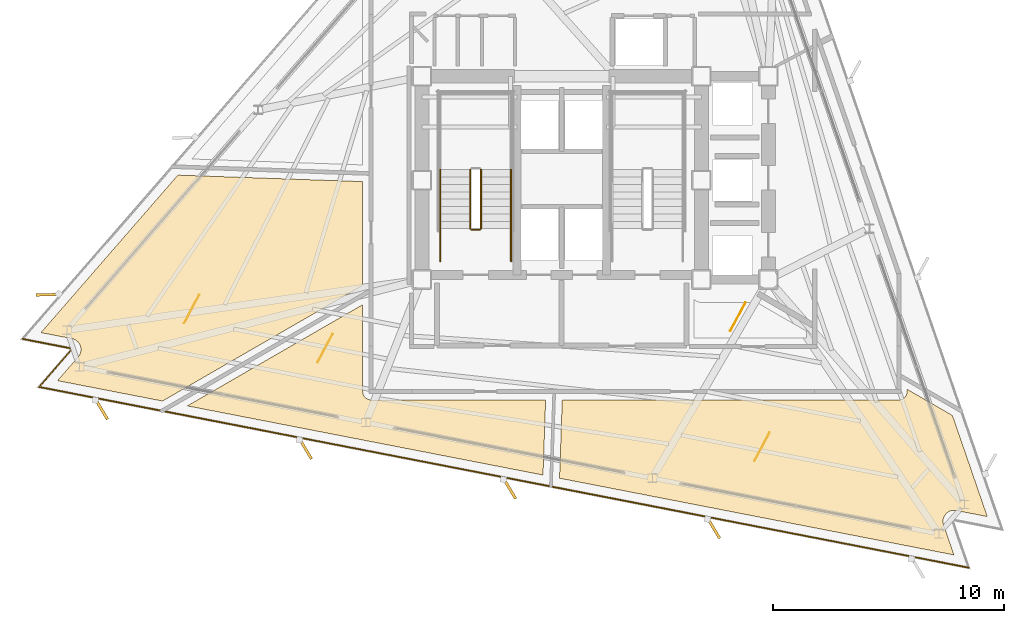
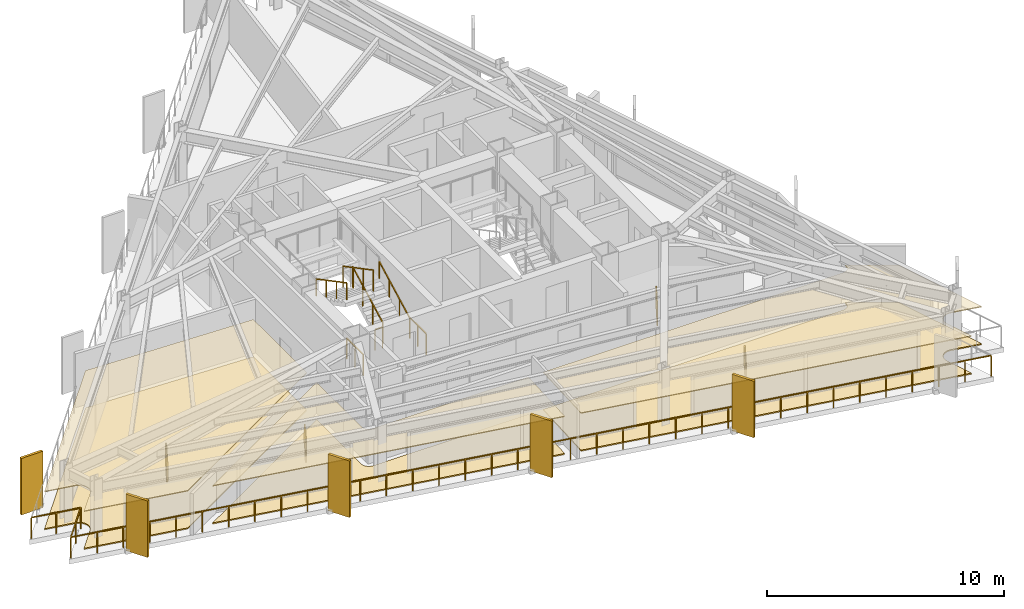
# One storey, part 11 of 13: 10 coverings, 8 railings, 5 shading devices.
"""IFC4 building model written with IfcOpenShell, lengths in metres."""

from ifc_helpers import new_model, si_unit, direction, frame, origin, origin_2d, place, context, subcontext, project, spatial, polyline, rectangle, outline, extrude, material, layer, layer_set, type_object, element, save


model = new_model("IFC4")

# Units and contexts
model_context = context("Model", 3, precision=1e-05, world=origin(), true_north=direction((0.0, 1.0)))
body_context = subcontext(model_context, "Body", "Model", "MODEL_VIEW")
ifc_project = project(units=[si_unit("LENGTHUNIT", "METRE"), si_unit("AREAUNIT", "SQUARE_METRE"), si_unit("VOLUMEUNIT", "CUBIC_METRE"), si_unit("PLANEANGLEUNIT", "RADIAN"), si_unit("MASSUNIT", "GRAM", prefix="KILO")], contexts=[model_context])

# Site, building, storey
site_placement = place(None, origin())
site = spatial("IfcSite", under=ifc_project, at=site_placement, CompositionType="ELEMENT")
building_placement = place(site_placement, origin())
building = spatial("IfcBuilding", under=site, at=building_placement, Name="Rocaltana Carrier Exchange", CompositionType="ELEMENT")
storey_placement = place(building_placement, frame((0.0, 0.0, 162.39990234375)))
storey = spatial("IfcBuildingStorey", under=building, at=storey_placement, Name="L51", CompositionType="ELEMENT", Elevation=162.39990234375)

# Coverings
ifc_material_1 = material(Name="Calcium Sulphate & Aluminium Pedestal", Category="aluminium")
ifc_layer_1 = layer(ifc_material_1, 0.06005859375)
ifc_layer_set_1 = layer_set([ifc_layer_1], Name="Calcium Sulphate & Aluminium Pedestal")
covering_type_1 = type_object("IfcCoveringType", Name="Anti-Static Raised Exchange Access Floor 60", PredefinedType="FLOORING", material=ifc_layer_set_1)
covering_1_placement = place(storey_placement, origin())
element("IfcCovering", 1, at=covering_1_placement, inside=storey, type_object=covering_type_1, Name="L51 Quiet Focus Lounge Finish Floor", PredefinedType="FLOORING", context=body_context, shape_type="SweptSolid", body=[
    extrude(outline(polyline([(-20.927490234375, -7.6455078125), (-20.918701171875, -7.635009765625), (-20.906494140625, -7.619140625), (-20.890380859375, -7.596435546875), (-20.879638671875, -7.57958984375), (-20.86572265625, -7.555419921875), (-20.85693359375, -7.53759765625), (-20.845703125, -7.511962890625), (-20.83837890625, -7.493408203125), (-20.829833984375, -7.466796875), (-20.824462890625, -7.447509765625), (-20.818603515625, -7.42041015625), (-20.815185546875, -7.400634765625), (-20.81201171875, -7.372802734375), (-20.810546875, -7.35302734375), (-20.81005859375, -7.3251953125), (-20.810791015625, -7.30517578125), (-20.81298828125, -7.27734375), (-20.815673828125, -7.257568359375), (-20.82080078125, -7.230224609375), (-20.8251953125, -7.210693359375), (-20.8330078125, -7.183837890625), (-20.839599609375, -7.1650390625), (-20.849853515625, -7.13916015625), (-20.8583984375, -7.12109375), (-20.87109375, -7.09619140625), (-20.88134765625, -7.0791015625), (-20.896484375, -7.055908203125), (-20.908447265625, -7.039794921875), (-20.92578125, -7.01806640625), (-20.939208984375, -7.003173828125), (-20.958984375, -6.9833984375), (-20.9736328125, -6.969970703125), (-20.9951171875, -6.9521484375), (-21.010986328125, -6.940185546875), (-21.0341796875, -6.924560546875), (-21.051513671875, -6.914306640625), (-21.075927734375, -6.901123046875), (-21.093994140625, -6.892578125), (-21.119873046875, -6.882080078125), (-21.138671875, -6.875244140625), (-21.165283203125, -6.8671875), (-21.184814453125, -6.862548828125), (-21.1982421875, -6.859619140625), (-22.541748046875, -6.598388671875), (-16.61474609375, 0.219970703125), (-8.610107421875, -0.0595703125), (-8.610107421875, -4.555419921875), (-17.281494140625, -9.561767578125), (-21.82568359375, -8.6787109375), (-20.927490234375, -7.6455078125)])), origin(), (0.0, 0.0, 1.0), 0.06005859375),
])
covering_2_placement = place(storey_placement, origin())
element("IfcCovering", 2, at=covering_2_placement, inside=storey, type_object=covering_type_1, Name="L51 Quiet Focus Lounge Finish Floor", PredefinedType="FLOORING", context=body_context, shape_type="SweptSolid", body=[
    extrude(outline(polyline([(-16.204345703125, -9.771240234375), (-8.610107421875, -5.38671875), (-8.610107421875, -9.14990234375), (-8.609619140625, -9.163818359375), (-8.609375, -9.171630859375), (-8.606689453125, -9.198974609375), (-8.60546875, -9.206787109375), (-8.60009765625, -9.233642578125), (-8.59814453125, -9.2412109375), (-8.590087890625, -9.267578125), (-8.58740234375, -9.27490234375), (-8.576904296875, -9.30029296875), (-8.57373046875, -9.307373046875), (-8.560791015625, -9.331787109375), (-8.556640625, -9.33837890625), (-8.54150390625, -9.361083984375), (-8.53662109375, -9.367431640625), (-8.519287109375, -9.388916015625), (-8.513916015625, -9.39453125), (-8.49462890625, -9.4140625), (-8.48876953125, -9.419189453125), (-8.467529296875, -9.436767578125), (-8.461181640625, -9.44140625), (-8.4384765625, -9.456787109375), (-8.431640625, -9.460693359375), (-8.407470703125, -9.4736328125), (-8.400390625, -9.47705078125), (-8.375, -9.487548828125), (-8.36767578125, -9.490234375), (-8.34130859375, -9.498291015625), (-8.33349609375, -9.5), (-8.306640625, -9.50537109375), (-8.298828125, -9.506591796875), (-8.271484375, -9.50927734375), (-8.263671875, -9.509765625), (-8.25, -9.510009765625), (-0.6923828125, -9.510009765625), (-0.805908203125, -12.764404296875), (-16.204345703125, -9.771240234375)])), origin(), (0.0, 0.0, 1.0), 0.06005859375),
])
covering_3_placement = place(storey_placement, origin())
element("IfcCovering", 3, at=covering_3_placement, inside=storey, type_object=covering_type_1, Name="L51 Cloud Architecture Office Finish Floor", PredefinedType="FLOORING", context=body_context, shape_type="SweptSolid", body=[
    extrude(outline(polyline([(18.4287109375, -14.562255859375), (17.085205078125, -14.301025390625), (17.0712890625, -14.298828125), (17.051513671875, -14.2958984375), (17.023681640625, -14.29345703125), (17.00390625, -14.29248046875), (16.975830078125, -14.292724609375), (16.9560546875, -14.2939453125), (16.92822265625, -14.296875), (16.90869140625, -14.300048828125), (16.88134765625, -14.305908203125), (16.862060546875, -14.310791015625), (16.83544921875, -14.319091796875), (16.816650390625, -14.326171875), (16.791015625, -14.337158203125), (16.773193359375, -14.345947265625), (16.748779296875, -14.359619140625), (16.731689453125, -14.3701171875), (16.708984375, -14.385986328125), (16.693115234375, -14.398193359375), (16.671875, -14.416259765625), (16.6572265625, -14.429931640625), (16.637939453125, -14.449951171875), (16.625, -14.465087890625), (16.607666015625, -14.487060546875), (16.59619140625, -14.50341796875), (16.581298828125, -14.52685546875), (16.5712890625, -14.544189453125), (16.558837890625, -14.569091796875), (16.55078125, -14.58740234375), (16.540771484375, -14.613525390625), (16.534423828125, -14.63232421875), (16.527099609375, -14.6591796875), (16.522705078125, -14.6787109375), (16.518310546875, -14.706298828125), (16.515869140625, -14.72607421875), (16.513916015625, -14.75390625), (16.513671875, -14.77392578125), (16.5146484375, -14.8017578125), (16.51611328125, -14.82177734375), (16.52001953125, -14.849365234375), (16.5234375, -14.868896484375), (16.52978515625, -14.89599609375), (16.535400390625, -14.915283203125), (16.539794921875, -14.9287109375), (16.9853515625, -16.22265625), (-0.09033203125, -12.9033203125), (0.028076171875, -9.510009765625), (14.60009765625, -9.510009765625), (14.61376953125, -9.509765625), (14.62158203125, -9.50927734375), (14.64892578125, -9.506591796875), (14.65673828125, -9.50537109375), (14.68359375, -9.5), (14.69140625, -9.498291015625), (14.717529296875, -9.490234375), (14.724853515625, -9.487548828125), (14.750244140625, -9.47705078125), (14.75732421875, -9.4736328125), (14.78173828125, -9.460693359375), (14.788330078125, -9.456787109375), (14.811279296875, -9.44140625), (14.8173828125, -9.436767578125), (14.8388671875, -9.419189453125), (14.844482421875, -9.4140625), (14.864013671875, -9.39453125), (14.869384765625, -9.388916015625), (14.88671875, -9.367431640625), (14.891357421875, -9.361083984375), (14.90673828125, -9.33837890625), (14.91064453125, -9.331787109375), (14.923583984375, -9.307373046875), (14.927001953125, -9.30029296875), (14.9375, -9.27490234375), (14.940185546875, -9.267578125), (14.9482421875, -9.2412109375), (14.9501953125, -9.233642578125), (14.955322265625, -9.206787109375), (14.95654296875, -9.198974609375), (14.959228515625, -9.171630859375), (14.959716796875, -9.163818359375), (14.9599609375, -9.14990234375), (14.9599609375, -9.052978515625), (16.92138671875, -10.185302734375), (18.4287109375, -14.562255859375)])), origin(), (0.0, 0.0, 1.0), 0.06005859375),
])
ifc_material_2 = material(Name="Mineral Fibre & Powder-Coated Aluminium", Category="aluminium")
ifc_layer_2 = layer(ifc_material_2, 0.044921875)
ifc_layer_set_2 = layer_set([ifc_layer_2], Name="Mineral Fibre & Powder-Coated Aluminium")
covering_type_2 = type_object("IfcCoveringType", Name="Micro-Perforated Acoustic Ceiling 45", PredefinedType="CEILING", material=ifc_layer_set_2)
covering_4_placement = place(storey_placement, frame((0.0, 0.0, 1.93310546875)))
element("IfcCovering", 4, at=covering_4_placement, inside=storey, type_object=covering_type_2, Name="L51 Quiet Focus Lounge Acoustic Ceiling", PredefinedType="CEILING", context=body_context, shape_type="SweptSolid", body=[
    extrude(outline(polyline([(-20.927490234375, -7.6455078125), (-20.918701171875, -7.635009765625), (-20.906494140625, -7.619140625), (-20.890380859375, -7.596435546875), (-20.879638671875, -7.57958984375), (-20.86572265625, -7.555419921875), (-20.85693359375, -7.53759765625), (-20.845703125, -7.511962890625), (-20.83837890625, -7.493408203125), (-20.829833984375, -7.466796875), (-20.824462890625, -7.447509765625), (-20.818603515625, -7.42041015625), (-20.815185546875, -7.400634765625), (-20.81201171875, -7.372802734375), (-20.810546875, -7.35302734375), (-20.81005859375, -7.3251953125), (-20.810791015625, -7.30517578125), (-20.81298828125, -7.27734375), (-20.815673828125, -7.257568359375), (-20.82080078125, -7.230224609375), (-20.8251953125, -7.210693359375), (-20.8330078125, -7.183837890625), (-20.839599609375, -7.1650390625), (-20.849853515625, -7.13916015625), (-20.8583984375, -7.12109375), (-20.87109375, -7.09619140625), (-20.88134765625, -7.0791015625), (-20.896484375, -7.055908203125), (-20.908447265625, -7.039794921875), (-20.92578125, -7.01806640625), (-20.939208984375, -7.003173828125), (-20.958984375, -6.9833984375), (-20.9736328125, -6.969970703125), (-20.9951171875, -6.9521484375), (-21.010986328125, -6.940185546875), (-21.0341796875, -6.924560546875), (-21.051513671875, -6.914306640625), (-21.075927734375, -6.901123046875), (-21.093994140625, -6.892578125), (-21.119873046875, -6.882080078125), (-21.138671875, -6.875244140625), (-21.165283203125, -6.8671875), (-21.184814453125, -6.862548828125), (-21.1982421875, -6.859619140625), (-22.541748046875, -6.598388671875), (-16.61474609375, 0.219970703125), (-8.610107421875, -0.0595703125), (-8.610107421875, -4.555419921875), (-17.281494140625, -9.561767578125), (-21.82568359375, -8.6787109375), (-20.927490234375, -7.6455078125)])), origin(), (0.0, 0.0, 1.0), 0.044921875),
])
covering_5_placement = place(storey_placement, frame((0.0, 0.0, 1.93310546875)))
element("IfcCovering", 5, at=covering_5_placement, inside=storey, type_object=covering_type_2, Name="L51 Quiet Focus Lounge Acoustic Ceiling", PredefinedType="CEILING", context=body_context, shape_type="SweptSolid", body=[
    extrude(outline(polyline([(-16.204345703125, -9.771240234375), (-8.610107421875, -5.38671875), (-8.610107421875, -9.14990234375), (-8.609619140625, -9.163818359375), (-8.609375, -9.171630859375), (-8.606689453125, -9.198974609375), (-8.60546875, -9.206787109375), (-8.60009765625, -9.233642578125), (-8.59814453125, -9.2412109375), (-8.590087890625, -9.267578125), (-8.58740234375, -9.27490234375), (-8.576904296875, -9.30029296875), (-8.57373046875, -9.307373046875), (-8.560791015625, -9.331787109375), (-8.556640625, -9.33837890625), (-8.54150390625, -9.361083984375), (-8.53662109375, -9.367431640625), (-8.519287109375, -9.388916015625), (-8.513916015625, -9.39453125), (-8.49462890625, -9.4140625), (-8.48876953125, -9.419189453125), (-8.467529296875, -9.436767578125), (-8.461181640625, -9.44140625), (-8.4384765625, -9.456787109375), (-8.431640625, -9.460693359375), (-8.407470703125, -9.4736328125), (-8.400390625, -9.47705078125), (-8.375, -9.487548828125), (-8.36767578125, -9.490234375), (-8.34130859375, -9.498291015625), (-8.33349609375, -9.5), (-8.306640625, -9.50537109375), (-8.298828125, -9.506591796875), (-8.271484375, -9.50927734375), (-8.263671875, -9.509765625), (-8.25, -9.510009765625), (-0.6923828125, -9.510009765625), (-0.805908203125, -12.764404296875), (-16.204345703125, -9.771240234375)])), origin(), (0.0, 0.0, 1.0), 0.044921875),
])
covering_6_placement = place(storey_placement, frame((0.0, 0.0, 1.93310546875)))
element("IfcCovering", 6, at=covering_6_placement, inside=storey, type_object=covering_type_2, Name="L51 Cloud Architecture Office Acoustic Ceiling", PredefinedType="CEILING", context=body_context, shape_type="SweptSolid", body=[
    extrude(outline(polyline([(18.4287109375, -14.562255859375), (17.085205078125, -14.301025390625), (17.0712890625, -14.298828125), (17.051513671875, -14.2958984375), (17.023681640625, -14.29345703125), (17.00390625, -14.29248046875), (16.975830078125, -14.292724609375), (16.9560546875, -14.2939453125), (16.92822265625, -14.296875), (16.90869140625, -14.300048828125), (16.88134765625, -14.305908203125), (16.862060546875, -14.310791015625), (16.83544921875, -14.319091796875), (16.816650390625, -14.326171875), (16.791015625, -14.337158203125), (16.773193359375, -14.345947265625), (16.748779296875, -14.359619140625), (16.731689453125, -14.3701171875), (16.708984375, -14.385986328125), (16.693115234375, -14.398193359375), (16.671875, -14.416259765625), (16.6572265625, -14.429931640625), (16.637939453125, -14.449951171875), (16.625, -14.465087890625), (16.607666015625, -14.487060546875), (16.59619140625, -14.50341796875), (16.581298828125, -14.52685546875), (16.5712890625, -14.544189453125), (16.558837890625, -14.569091796875), (16.55078125, -14.58740234375), (16.540771484375, -14.613525390625), (16.534423828125, -14.63232421875), (16.527099609375, -14.6591796875), (16.522705078125, -14.6787109375), (16.518310546875, -14.706298828125), (16.515869140625, -14.72607421875), (16.513916015625, -14.75390625), (16.513671875, -14.77392578125), (16.5146484375, -14.8017578125), (16.51611328125, -14.82177734375), (16.52001953125, -14.849365234375), (16.5234375, -14.868896484375), (16.52978515625, -14.89599609375), (16.535400390625, -14.915283203125), (16.539794921875, -14.9287109375), (16.9853515625, -16.22265625), (-0.09033203125, -12.9033203125), (0.028076171875, -9.510009765625), (14.60009765625, -9.510009765625), (14.61376953125, -9.509765625), (14.62158203125, -9.50927734375), (14.64892578125, -9.506591796875), (14.65673828125, -9.50537109375), (14.68359375, -9.5), (14.69140625, -9.498291015625), (14.717529296875, -9.490234375), (14.724853515625, -9.487548828125), (14.750244140625, -9.47705078125), (14.75732421875, -9.4736328125), (14.78173828125, -9.460693359375), (14.788330078125, -9.456787109375), (14.811279296875, -9.44140625), (14.8173828125, -9.436767578125), (14.8388671875, -9.419189453125), (14.844482421875, -9.4140625), (14.864013671875, -9.39453125), (14.869384765625, -9.388916015625), (14.88671875, -9.367431640625), (14.891357421875, -9.361083984375), (14.90673828125, -9.33837890625), (14.91064453125, -9.331787109375), (14.923583984375, -9.307373046875), (14.927001953125, -9.30029296875), (14.9375, -9.27490234375), (14.940185546875, -9.267578125), (14.9482421875, -9.2412109375), (14.9501953125, -9.233642578125), (14.955322265625, -9.206787109375), (14.95654296875, -9.198974609375), (14.959228515625, -9.171630859375), (14.959716796875, -9.163818359375), (14.9599609375, -9.14990234375), (14.9599609375, -9.052978515625), (16.92138671875, -10.185302734375), (18.4287109375, -14.562255859375)])), origin(), (0.0, 0.0, 1.0), 0.044921875),
])

# Railings
ifc_material_3 = material(Name="Brushed Architectural Stainless Tube", Category="steel")
ifc_layer_3 = layer(ifc_material_3, 0.048095703125)
ifc_layer_set_3 = layer_set([ifc_layer_3], Name="Brushed Architectural Stainless Tube")
railing_type_1 = type_object("IfcRailingType", Name="Stair Wall Handrail 920", PredefinedType="HANDRAIL", material=ifc_layer_set_3)
railing_1_placement = place(storey_placement, frame((-2.18994140625, -2.10009765625, 0.1689453125)))
element("IfcRailing", 7, at=railing_1_placement, inside=storey, type_object=railing_type_1, Name="L51 ST-1 stair handrail 1", PredefinedType="HANDRAIL", context=body_context, shape_type="SweptSolid", body=[
    extrude(rectangle(XDim=0.048095703125, YDim=0.048095703125, at=origin_2d()), frame((0.0, 0.0, 0.8759765625), z_axis=(0.0, 0.884394423565, 0.466740295633), x_axis=(-1.0, 0.0, 0.0)), (0.0, 0.0, 1.0), 2.894775390625),
    extrude(rectangle(XDim=0.0419921875, YDim=0.0419921875, at=origin_2d()), origin(), (0.0, 0.0, 1.0), 0.851806640625),
    extrude(rectangle(XDim=0.0419921875, YDim=0.0419921875, at=origin_2d()), frame((0.0, 0.853271484375, 0.450439453125)), (0.0, 0.0, 1.0), 0.851806640625),
    extrude(rectangle(XDim=0.0419921875, YDim=0.0419921875, at=origin_2d()), frame((0.0, 1.706787109375, 0.900634765625)), (0.0, 0.0, 1.0), 0.851806640625),
    extrude(rectangle(XDim=0.0419921875, YDim=0.0419921875, at=origin_2d()), frame((0.0, 2.56005859375, 1.35107421875)), (0.0, 0.0, 1.0), 0.851806640625),
])
railing_2_placement = place(storey_placement, frame((-5.25, 0.4599609375, 1.68896484375)))
element("IfcRailing", 8, at=railing_2_placement, inside=storey, type_object=railing_type_1, Name="L51 ST-1 stair handrail 2", PredefinedType="HANDRAIL", context=body_context, shape_type="SweptSolid", body=[
    extrude(rectangle(XDim=0.048095703125, YDim=0.048095703125, at=origin_2d()), frame((0.0, 0.0, 0.8759765625), z_axis=(0.0, -0.884394423565, 0.466740295633), x_axis=(1.0, 0.0, 0.0)), (0.0, 0.0, 1.0), 2.894775390625),
    extrude(rectangle(XDim=0.0419921875, YDim=0.0419921875, at=origin_2d()), origin(), (0.0, 0.0, 1.0), 0.851806640625),
    extrude(rectangle(XDim=0.0419921875, YDim=0.0419921875, at=origin_2d()), frame((0.0, -0.853271484375, 0.450439453125)), (0.0, 0.0, 1.0), 0.851806640625),
    extrude(rectangle(XDim=0.0419921875, YDim=0.0419921875, at=origin_2d()), frame((0.0, -1.706787109375, 0.900634765625)), (0.0, 0.0, 1.0), 0.851806640625),
    extrude(rectangle(XDim=0.0419921875, YDim=0.0419921875, at=origin_2d()), frame((0.0, -2.56005859375, 1.35107421875)), (0.0, 0.0, 1.0), 0.851806640625),
])
ifc_material_4 = material(Name="Powder-Coated Aluminium 6063-T6", Category="aluminium")
ifc_layer_4 = layer(ifc_material_4, 0.048095703125)
ifc_layer_set_4 = layer_set([ifc_layer_4], Name="Powder-Coated Aluminium 6063-T6")
railing_type_2 = type_object("IfcRailingType", Name="Stair Well Guardrail 1100", PredefinedType="GUARDRAIL", material=ifc_layer_set_4)
railing_3_placement = place(storey_placement, frame((-3.489990234375, -2.10009765625, 0.1689453125)))
element("IfcRailing", 9, at=railing_3_placement, inside=storey, type_object=railing_type_2, Name="L51 ST-1 stair guard 1", PredefinedType="GUARDRAIL", context=body_context, shape_type="SweptSolid", body=[
    extrude(rectangle(XDim=0.048095703125, YDim=0.048095703125, at=origin_2d()), frame((0.0, 0.0, 1.076171875), z_axis=(0.0, 0.884394423565, 0.466740295633), x_axis=(-1.0, 0.0, 0.0)), (0.0, 0.0, 1.0), 2.894775390625),
    extrude(rectangle(XDim=0.0419921875, YDim=0.0419921875, at=origin_2d()), origin(), (0.0, 0.0, 1.0), 1.052001953125),
    extrude(rectangle(XDim=0.0419921875, YDim=0.0419921875, at=origin_2d()), frame((0.0, 0.853271484375, 0.450439453125)), (0.0, 0.0, 1.0), 1.052001953125),
    extrude(rectangle(XDim=0.0419921875, YDim=0.0419921875, at=origin_2d()), frame((0.0, 1.706787109375, 0.900634765625)), (0.0, 0.0, 1.0), 1.052001953125),
    extrude(rectangle(XDim=0.0419921875, YDim=0.0419921875, at=origin_2d()), frame((0.0, 2.56005859375, 1.35107421875)), (0.0, 0.0, 1.0), 1.052001953125),
])
railing_4_placement = place(storey_placement, frame((-3.949951171875, 0.4599609375, 1.68896484375)))
element("IfcRailing", 10, at=railing_4_placement, inside=storey, type_object=railing_type_2, Name="L51 ST-1 stair guard 6", PredefinedType="GUARDRAIL", context=body_context, shape_type="SweptSolid", body=[
    extrude(rectangle(XDim=0.048095703125, YDim=0.048095703125, at=origin_2d()), frame((0.0, 0.0, 1.076171875), z_axis=(0.0, -0.884394423565, 0.466740295633), x_axis=(1.0, 0.0, 0.0)), (0.0, 0.0, 1.0), 2.894775390625),
    extrude(rectangle(XDim=0.0419921875, YDim=0.0419921875, at=origin_2d()), origin(), (0.0, 0.0, 1.0), 1.052001953125),
    extrude(rectangle(XDim=0.0419921875, YDim=0.0419921875, at=origin_2d()), frame((0.0, -0.853271484375, 0.450439453125)), (0.0, 0.0, 1.0), 1.052001953125),
    extrude(rectangle(XDim=0.0419921875, YDim=0.0419921875, at=origin_2d()), frame((0.0, -1.706787109375, 0.900634765625)), (0.0, 0.0, 1.0), 1.052001953125),
    extrude(rectangle(XDim=0.0419921875, YDim=0.0419921875, at=origin_2d()), frame((0.0, -2.56005859375, 1.35107421875)), (0.0, 0.0, 1.0), 1.052001953125),
])
railing_5_placement = place(storey_placement, frame((-3.5400390625, -2.14990234375, 0.0)))
element("IfcRailing", 11, at=railing_5_placement, inside=storey, type_object=railing_type_2, Name="L51 ST-1 stair guard 7", PredefinedType="GUARDRAIL", context=body_context, shape_type="SweptSolid", body=[
    extrude(rectangle(XDim=0.048095703125, YDim=0.048095703125, at=origin_2d()), frame((0.0, 0.0, 1.076171875), z_axis=(-1.0, 0.0, 0.0), x_axis=(0.0, -1.0, 0.0)), (0.0, 0.0, 1.0), 0.35986328125),
    extrude(rectangle(XDim=0.0419921875, YDim=0.0419921875, at=origin_2d()), origin(), (0.0, 0.0, 1.0), 1.052001953125),
    extrude(rectangle(XDim=0.0419921875, YDim=0.0419921875, at=origin_2d()), frame((-0.35986328125, 0.0, 0.0)), (0.0, 0.0, 1.0), 1.052001953125),
])
for number, where, name in (
    (12, (-2.18994140625, -3.5, 0.0), "L51 ST-1 stair guard 8"),
    (13, (-5.25, -3.5, 0.0), "L51 ST-1 stair guard 9"),
):
    element("IfcRailing", number, at=place(storey_placement, frame(where)), inside=storey, type_object=railing_type_2, Name=name, PredefinedType="GUARDRAIL", context=body_context, shape_type="SweptSolid", body=[
        extrude(rectangle(XDim=0.048095703125, YDim=0.048095703125, at=origin_2d()), frame((0.0, 0.0, 1.076171875), z_axis=(0.0, 1.0, 0.0), x_axis=(-1.0, 0.0, 0.0)), (0.0, 0.0, 1.0), 1.39990234375),
        extrude(rectangle(XDim=0.0419921875, YDim=0.0419921875, at=origin_2d()), origin(), (0.0, 0.0, 1.0), 1.052001953125),
        extrude(rectangle(XDim=0.0419921875, YDim=0.0419921875, at=origin_2d()), frame((0.0, 0.699951171875, 0.0)), (0.0, 0.0, 1.0), 1.052001953125),
        extrude(rectangle(XDim=0.0419921875, YDim=0.0419921875, at=origin_2d()), frame((0.0, 1.39990234375, 0.0)), (0.0, 0.0, 1.0), 1.052001953125),
    ])

# Coverings
ifc_material_5 = material(Name="Honed Piedra Muneca Sandstone", Category="masonry")
ifc_layer_5 = layer(ifc_material_5, 0.034912109375)
ifc_layer_set_5 = layer_set([ifc_layer_5], Name="Honed Piedra Muneca Sandstone")
covering_type_3 = type_object("IfcCoveringType", Name="Stone Facade Cladding 35", PredefinedType="CLADDING", material=ifc_layer_set_5)
for number, where, z_axis, x_axis, name in (
    (14, (-16.0166015625, -5.576904296875, 0.0), (0.0, 0.0, 1.0), (0.469471562786, 0.882947592859, 0.0), "L51 Stone Facade Cladding Panel 1"),
    (15, (-10.239501953125, -7.268310546875, 0.0), (0.0, 0.0, 1.0), (0.469471562786, 0.882947592859, 0.0), "L51 Stone Facade Cladding Panel 2"),
    (16, (8.67333984375, -11.54443359375, 0.0), (0.0, 0.0, 1.0), (0.469471562786, 0.882947592859, 0.0), "L51 Stone Facade Cladding Panel 3"),
    (17, (7.630615234375, -5.912841796875, 0.0), (0.0, 0.0, 1.0), (0.469471562786, 0.882947592859, 0.0), "L51 Stone Facade Cladding Panel 4"),
):
    element("IfcCovering", number, at=place(storey_placement, frame(where, z_axis=z_axis, x_axis=x_axis)), inside=storey, type_object=covering_type_3, Name=name, PredefinedType="CLADDING", context=body_context, shape_type="SweptSolid", body=[
        extrude(rectangle(XDim=1.39990234375, YDim=0.034912109375, at=origin_2d()), origin(), (0.0, 0.0, 1.0), 1.050048828125),
    ])

# Shading devices
ifc_material_6 = material(Name="Honed Bogota Sandstone & Concrete C45/55", Category="masonry")
ifc_layer_6 = layer(ifc_material_6, 0.1201171875)
ifc_layer_set_6 = layer_set([ifc_layer_6], Name="Honed Bogota Sandstone & Concrete C45/55")
shading_device_type = type_object("IfcShadingDeviceType", Name="Upper Sandstone Shading Fin 1050x120", PredefinedType="USERDEFINED", material=ifc_layer_set_6)
for number, where, z_axis, x_axis, name in (
    (18, (-22.228759765625, -4.95703125, -0.1201171875), (0.0, 0.0, 1.0), (-0.999847695156, -0.017452406437, 0.0), "L51 Sandstone Vertical Fin F2-05"),
    (19, (-19.93115234375, -9.90283203125, -0.1201171875), (0.0, 0.0, 1.0), (0.51503807491, -0.857167300702, 0.0), "L51 Sandstone Vertical Fin F3-01"),
    (20, (-11.0966796875, -11.6201171875, -0.1201171875), (0.0, 0.0, 1.0), (0.51503807491, -0.857167300702, 0.0), "L51 Sandstone Vertical Fin F3-02"),
    (21, (-2.261962890625, -13.33740234375, -0.1201171875), (0.0, 0.0, 1.0), (0.51503807491, -0.857167300702, 0.0), "L51 Sandstone Vertical Fin F3-03"),
    (22, (6.57275390625, -15.0546875, -0.1201171875), (0.0, 0.0, 1.0), (0.51503807491, -0.857167300702, 0.0), "L51 Sandstone Vertical Fin F3-04"),
):
    element("IfcShadingDevice", number, at=place(storey_placement, frame(where, z_axis=z_axis, x_axis=x_axis)), inside=storey, type_object=shading_device_type, Name=name, ObjectType="FIN", PredefinedType="USERDEFINED", context=body_context, shape_type="SweptSolid", body=[
        extrude(rectangle(XDim=1.050048828125, YDim=0.1201171875, at=origin_2d()), origin(), (0.0, 0.0, 1.0), 2.907958984375),
    ])

# Railing
ifc_material_7 = material(Name="Powder-Coated Aluminium 6063-T6", Category="aluminium")
ifc_layer_7 = layer(ifc_material_7, 0.06005859375)
ifc_layer_set_7 = layer_set([ifc_layer_7], Name="Powder-Coated Aluminium 6063-T6")
railing_type_3 = type_object("IfcRailingType", Name="Wind-Floor & Terrace Perimeter Guardrail 1100", PredefinedType="GUARDRAIL", material=ifc_layer_set_7)
railing_6_placement = place(storey_placement, frame((17.619140625, -16.773681640625, 0.0)))
element("IfcRailing", 23, at=railing_6_placement, inside=storey, type_object=railing_type_3, Name="L51 Perimeter Balcony Guardrail 1", PredefinedType="GUARDRAIL", context=body_context, shape_type="SweptSolid", body=[
    extrude(rectangle(XDim=0.048095703125, YDim=0.048095703125, at=origin_2d()), frame((0.0, 0.0, 1.076171875), z_axis=(-0.981626701724, 0.190811473615, 0.0), x_axis=(-0.190811473615, -0.981626701724, 0.0)), (0.0, 0.0, 1.0), 40.9921875),
    extrude(rectangle(XDim=0.048095703125, YDim=0.048095703125, at=origin_2d()), frame((-40.239013671875, 7.82177734375, 1.076171875), z_axis=(0.656057821484, 0.75471062989, 0.0), x_axis=(-0.75471062989, 0.656057821484, 0.0)), (0.0, 0.0, 1.0), 2.199951171875),
    extrude(rectangle(XDim=0.048095703125, YDim=0.048095703125, at=origin_2d()), frame((-38.795654296875, 9.482177734375, 1.076171875), z_axis=(-0.98163329095, 0.190777572317, 0.0), x_axis=(-0.190777572317, -0.98163329095, 0.0)), (0.0, 0.0, 1.0), 2.19970703125),
    extrude(rectangle(XDim=0.0419921875, YDim=0.0419921875, at=origin_2d()), origin(), (0.0, 0.0, 1.0), 1.052001953125),
    extrude(rectangle(XDim=0.0419921875, YDim=0.0419921875, at=origin_2d()), frame((-1.149658203125, 0.223388671875, 0.0)), (0.0, 0.0, 1.0), 1.052001953125),
    extrude(rectangle(XDim=0.0419921875, YDim=0.0419921875, at=origin_2d()), frame((-2.29931640625, 0.447021484375, 0.0)), (0.0, 0.0, 1.0), 1.052001953125),
    extrude(rectangle(XDim=0.0419921875, YDim=0.0419921875, at=origin_2d()), frame((-3.448974609375, 0.67041015625, 0.0)), (0.0, 0.0, 1.0), 1.052001953125),
    extrude(rectangle(XDim=0.0419921875, YDim=0.0419921875, at=origin_2d()), frame((-4.5986328125, 0.893798828125, 0.0)), (0.0, 0.0, 1.0), 1.052001953125),
    extrude(rectangle(XDim=0.0419921875, YDim=0.0419921875, at=origin_2d()), frame((-5.74853515625, 1.117431640625, 0.0)), (0.0, 0.0, 1.0), 1.052001953125),
    extrude(rectangle(XDim=0.0419921875, YDim=0.0419921875, at=origin_2d()), frame((-6.898193359375, 1.3408203125, 0.0)), (0.0, 0.0, 1.0), 1.052001953125),
    extrude(rectangle(XDim=0.0419921875, YDim=0.0419921875, at=origin_2d()), frame((-8.0478515625, 1.564453125, 0.0)), (0.0, 0.0, 1.0), 1.052001953125),
    extrude(rectangle(XDim=0.0419921875, YDim=0.0419921875, at=origin_2d()), frame((-9.197509765625, 1.787841796875, 0.0)), (0.0, 0.0, 1.0), 1.052001953125),
    extrude(rectangle(XDim=0.0419921875, YDim=0.0419921875, at=origin_2d()), frame((-10.34716796875, 2.01123046875, 0.0)), (0.0, 0.0, 1.0), 1.052001953125),
    extrude(rectangle(XDim=0.0419921875, YDim=0.0419921875, at=origin_2d()), frame((-11.496826171875, 2.23486328125, 0.0)), (0.0, 0.0, 1.0), 1.052001953125),
    extrude(rectangle(XDim=0.0419921875, YDim=0.0419921875, at=origin_2d()), frame((-12.646484375, 2.458251953125, 0.0)), (0.0, 0.0, 1.0), 1.052001953125),
    extrude(rectangle(XDim=0.0419921875, YDim=0.0419921875, at=origin_2d()), frame((-13.796142578125, 2.681640625, 0.0)), (0.0, 0.0, 1.0), 1.052001953125),
    extrude(rectangle(XDim=0.0419921875, YDim=0.0419921875, at=origin_2d()), frame((-14.94580078125, 2.9052734375, 0.0)), (0.0, 0.0, 1.0), 1.052001953125),
    extrude(rectangle(XDim=0.0419921875, YDim=0.0419921875, at=origin_2d()), frame((-16.095703125, 3.128662109375, 0.0)), (0.0, 0.0, 1.0), 1.052001953125),
    extrude(rectangle(XDim=0.0419921875, YDim=0.0419921875, at=origin_2d()), frame((-17.245361328125, 3.352294921875, 0.0)), (0.0, 0.0, 1.0), 1.052001953125),
    extrude(rectangle(XDim=0.0419921875, YDim=0.0419921875, at=origin_2d()), frame((-18.39501953125, 3.57568359375, 0.0)), (0.0, 0.0, 1.0), 1.052001953125),
    extrude(rectangle(XDim=0.0419921875, YDim=0.0419921875, at=origin_2d()), frame((-19.544677734375, 3.799072265625, 0.0)), (0.0, 0.0, 1.0), 1.052001953125),
    extrude(rectangle(XDim=0.0419921875, YDim=0.0419921875, at=origin_2d()), frame((-20.6943359375, 4.022705078125, 0.0)), (0.0, 0.0, 1.0), 1.052001953125),
    extrude(rectangle(XDim=0.0419921875, YDim=0.0419921875, at=origin_2d()), frame((-21.843994140625, 4.24609375, 0.0)), (0.0, 0.0, 1.0), 1.052001953125),
    extrude(rectangle(XDim=0.0419921875, YDim=0.0419921875, at=origin_2d()), frame((-22.99365234375, 4.469482421875, 0.0)), (0.0, 0.0, 1.0), 1.052001953125),
    extrude(rectangle(XDim=0.0419921875, YDim=0.0419921875, at=origin_2d()), frame((-24.143310546875, 4.693115234375, 0.0)), (0.0, 0.0, 1.0), 1.052001953125),
    extrude(rectangle(XDim=0.0419921875, YDim=0.0419921875, at=origin_2d()), frame((-25.293212890625, 4.91650390625, 0.0)), (0.0, 0.0, 1.0), 1.052001953125),
    extrude(rectangle(XDim=0.0419921875, YDim=0.0419921875, at=origin_2d()), frame((-26.44287109375, 5.14013671875, 0.0)), (0.0, 0.0, 1.0), 1.052001953125),
    extrude(rectangle(XDim=0.0419921875, YDim=0.0419921875, at=origin_2d()), frame((-27.592529296875, 5.363525390625, 0.0)), (0.0, 0.0, 1.0), 1.052001953125),
    extrude(rectangle(XDim=0.0419921875, YDim=0.0419921875, at=origin_2d()), frame((-28.7421875, 5.5869140625, 0.0)), (0.0, 0.0, 1.0), 1.052001953125),
    extrude(rectangle(XDim=0.0419921875, YDim=0.0419921875, at=origin_2d()), frame((-29.891845703125, 5.810546875, 0.0)), (0.0, 0.0, 1.0), 1.052001953125),
    extrude(rectangle(XDim=0.0419921875, YDim=0.0419921875, at=origin_2d()), frame((-31.04150390625, 6.033935546875, 0.0)), (0.0, 0.0, 1.0), 1.052001953125),
    extrude(rectangle(XDim=0.0419921875, YDim=0.0419921875, at=origin_2d()), frame((-32.191162109375, 6.25732421875, 0.0)), (0.0, 0.0, 1.0), 1.052001953125),
    extrude(rectangle(XDim=0.0419921875, YDim=0.0419921875, at=origin_2d()), frame((-33.3408203125, 6.48095703125, 0.0)), (0.0, 0.0, 1.0), 1.052001953125),
    extrude(rectangle(XDim=0.0419921875, YDim=0.0419921875, at=origin_2d()), frame((-34.490478515625, 6.704345703125, 0.0)), (0.0, 0.0, 1.0), 1.052001953125),
    extrude(rectangle(XDim=0.0419921875, YDim=0.0419921875, at=origin_2d()), frame((-35.640380859375, 6.927978515625, 0.0)), (0.0, 0.0, 1.0), 1.052001953125),
    extrude(rectangle(XDim=0.0419921875, YDim=0.0419921875, at=origin_2d()), frame((-36.7900390625, 7.1513671875, 0.0)), (0.0, 0.0, 1.0), 1.052001953125),
    extrude(rectangle(XDim=0.0419921875, YDim=0.0419921875, at=origin_2d()), frame((-37.939697265625, 7.374755859375, 0.0)), (0.0, 0.0, 1.0), 1.052001953125),
    extrude(rectangle(XDim=0.0419921875, YDim=0.0419921875, at=origin_2d()), frame((-39.08935546875, 7.598388671875, 0.0)), (0.0, 0.0, 1.0), 1.052001953125),
    extrude(rectangle(XDim=0.0419921875, YDim=0.0419921875, at=origin_2d()), frame((-40.239013671875, 7.82177734375, 0.0)), (0.0, 0.0, 1.0), 1.052001953125),
    extrude(rectangle(XDim=0.0419921875, YDim=0.0419921875, at=origin_2d()), frame((-39.517333984375, 8.65185546875, 0.0)), (0.0, 0.0, 1.0), 1.052001953125),
    extrude(rectangle(XDim=0.0419921875, YDim=0.0419921875, at=origin_2d()), frame((-38.795654296875, 9.482177734375, 0.0)), (0.0, 0.0, 1.0), 1.052001953125),
    extrude(rectangle(XDim=0.0419921875, YDim=0.0419921875, at=origin_2d()), frame((-39.87548828125, 9.69189453125, 0.0)), (0.0, 0.0, 1.0), 1.052001953125),
    extrude(rectangle(XDim=0.0419921875, YDim=0.0419921875, at=origin_2d()), frame((-40.955078125, 9.90185546875, 0.0)), (0.0, 0.0, 1.0), 1.052001953125),
])

save(model, "model.ifc")
